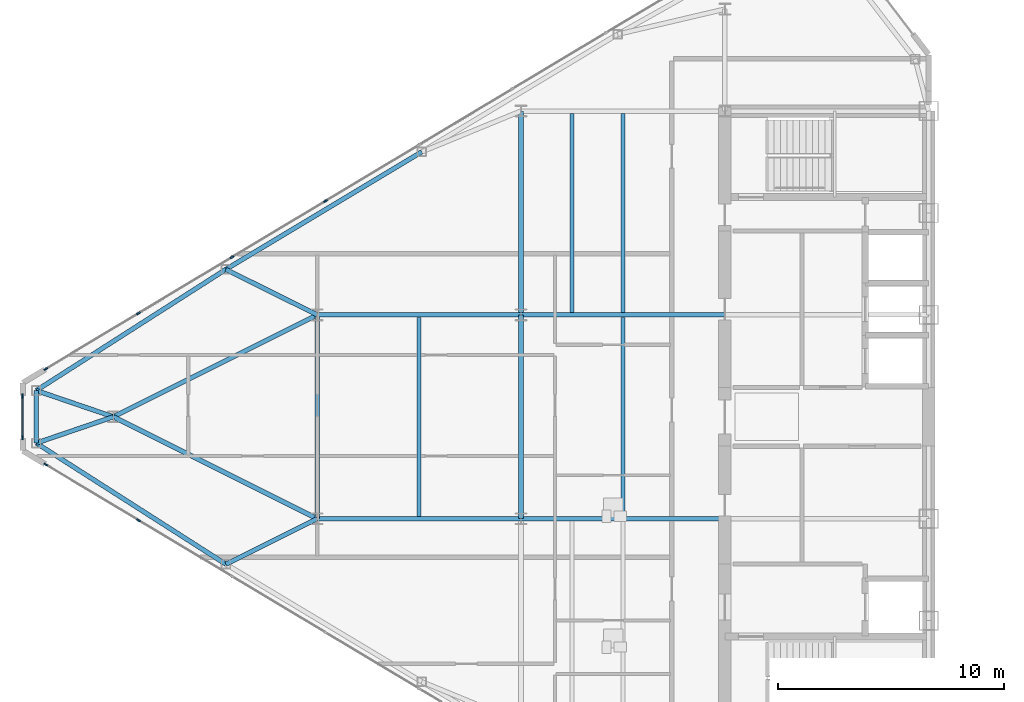
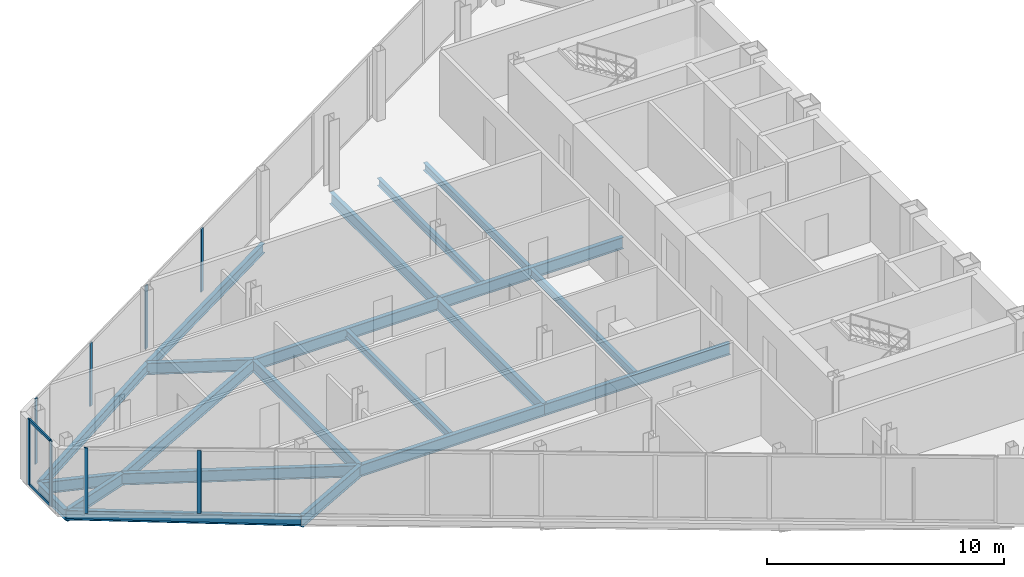
# One storey, part 7 of 26: 21 beams, 10 members, 3 elements without a shape of their own.
"""IFC4 building model written with IfcOpenShell, lengths in metres."""

from ifc_helpers import new_model, si_unit, direction, frame, origin, origin_2d, place, context, subcontext, project, spatial, rectangle, i_section, extrude, source, transform, mapped, material, layer, layer_set, material_profile, profile_set, type_object, type_shapes, element, aggregate, save


model = new_model("IFC4")

# Units and contexts
model_context = context("Model", 3, precision=1e-05, world=origin(), true_north=direction((0.0, 1.0)))
body_context = subcontext(model_context, "Body", "Model", "MODEL_VIEW")
ifc_project = project(units=[si_unit("LENGTHUNIT", "METRE"), si_unit("AREAUNIT", "SQUARE_METRE"), si_unit("VOLUMEUNIT", "CUBIC_METRE"), si_unit("PLANEANGLEUNIT", "RADIAN"), si_unit("MASSUNIT", "GRAM", prefix="KILO")], contexts=[model_context])

# Site, building, storey
site_placement = place(None, origin())
site = spatial("IfcSite", under=ifc_project, at=site_placement, CompositionType="ELEMENT")
building_placement = place(site_placement, origin())
building = spatial("IfcBuilding", under=site, at=building_placement, Name="Seokmaru Belvedere", CompositionType="ELEMENT")
storey_placement = place(building_placement, frame((0.0, 0.0, 199.5)))
storey = spatial("IfcBuildingStorey", under=building, at=storey_placement, Name="L53", CompositionType="ELEMENT", Elevation=199.5)

# Beams
ifc_material_1 = material(Name="Steel SM355 (355 MPa)", Category="steel")
ifc_material_profile_1 = material_profile(ifc_material_1, i_section(OverallWidth=0.199951171875, OverallDepth=0.60009765625, WebThickness=0.010986328125, FlangeThickness=0.01708984375, at=origin_2d()), Name="H-600x200x11x17")
ifc_profile_set_1 = profile_set([ifc_material_profile_1], Name="Steel SM355 (355 MPa)")
beam_type_1 = type_object("IfcBeamType", Name="Primary Floor Girder H-600", PredefinedType="BEAM", material=ifc_profile_set_1)
shared_shape_1 = source(origin(), body_context, "Body", "SweptSolid", [
    extrude(i_section(OverallWidth=0.199951171875, OverallDepth=0.60009765625, WebThickness=0.010986328125, FlangeThickness=0.01708984375, at=origin_2d()), origin(), (0.0, 0.0, 1.0), 9.0),
])
for number, where, z_axis, x_axis, name in (
    (1, (-45.5, -4.5, -0.52001953125), (0.0, 1.0, 0.0), (-1.0, 0.0, 0.0), "L53 W Interior Grid Girder 2"),
    (2, (-45.5, 4.5, -0.52001953125), (0.0, 1.0, 0.0), (-1.0, 0.0, 0.0), "L53 W Interior Grid Girder 3"),
    (3, (-45.5, -4.5, -0.52001953125), (1.0, 0.0, 0.0), (0.0, 1.0, 0.0), "L53 W Wing Primary Girder 2"),
    (4, (-45.5, 4.5, -0.52001953125), (1.0, 0.0, 0.0), (0.0, 1.0, 0.0), "L53 W Wing Primary Girder 3"),
    (5, (-54.5, -4.5, -0.52001953125), (1.0, 0.0, 0.0), (0.0, 1.0, 0.0), "L53 W Outer Wing Girder 1"),
    (6, (-54.5, 4.5, -0.52001953125), (1.0, 0.0, 0.0), (0.0, 1.0, 0.0), "L53 W Outer Wing Girder 2"),
    (7, (-54.5, -4.5, -0.52001953125), (0.0, 1.0, 0.0), (-1.0, 0.0, 0.0), "L53 W Apex Frame Girder"),
):
    element("IfcBeam", number, at=place(storey_placement, frame(where, z_axis=z_axis, x_axis=x_axis)), inside=storey, type_object=beam_type_1, Name=name, PredefinedType="BEAM", context=body_context, shape_type="MappedRepresentation", body=[
        mapped(shared_shape_1, transform((0.0, 0.0, 0.0), scale=1.0)),
    ])
shared_shape_2 = source(origin(), body_context, "Body", "SweptSolid", [
    extrude(i_section(OverallWidth=0.199951171875, OverallDepth=0.60009765625, WebThickness=0.010986328125, FlangeThickness=0.01708984375, at=origin_2d()), origin(), (0.0, 0.0, 1.0), 10.062255859375),
])
for number, where, z_axis, x_axis, name in (
    (8, (-54.5, -4.5, -0.52001953125), (-0.894427191, 0.4472135955, 0.0), (-0.4472135955, -0.894427191, 0.0), "L53 W Apex Converging Girder 1"),
    (9, (-54.5, 4.5, -0.52001953125), (-0.894427191, -0.4472135955, 0.0), (0.4472135955, -0.894427191, 0.0), "L53 W Apex Converging Girder 2"),
):
    element("IfcBeam", number, at=place(storey_placement, frame(where, z_axis=z_axis, x_axis=x_axis)), inside=storey, type_object=beam_type_1, Name=name, PredefinedType="BEAM", context=body_context, shape_type="MappedRepresentation", body=[
        mapped(shared_shape_2, transform((0.0, 0.0, 0.0), scale=1.0)),
    ])
ifc_material_profile_2 = material_profile(ifc_material_1, i_section(OverallWidth=0.18505859375, OverallDepth=0.389892578125, WebThickness=0.008056640625, FlangeThickness=0.011962890625, at=origin_2d()), Name="H-390x185x8x12")
ifc_profile_set_2 = profile_set([ifc_material_profile_2], Name="Steel SM355 (355 MPa)")
beam_type_2 = type_object("IfcBeamType", Name="Secondary Floor Joist H-350", PredefinedType="JOIST", material=ifc_profile_set_2)
shared_shape_3 = source(origin(), body_context, "Body", "SweptSolid", [
    extrude(i_section(OverallWidth=0.18505859375, OverallDepth=0.389892578125, WebThickness=0.008056640625, FlangeThickness=0.011962890625, at=origin_2d()), origin(), (0.0, 0.0, 1.0), 8.7900390625),
])
type_shapes(beam_type_2, [shared_shape_3])
for number, where, z_axis, x_axis, name in (
    (10, (-43.25, 4.60498046875, -0.4150390625), (0.0, 1.0, 0.0), (-1.0, 0.0, 0.0), "L53 W Wing Inner Secondary Joist 2"),
    (11, (-41.0, -4.39501953125, -0.4150390625), (0.0, 1.0, 0.0), (-1.0, 0.0, 0.0), "L53 W Secondary Floor Joist 2"),
    (12, (-41.0, 4.60498046875, -0.4150390625), (0.0, 1.0, 0.0), (-1.0, 0.0, 0.0), "L53 W Secondary Floor Joist 3"),
    (13, (-50.0, -4.39501953125, -0.4150390625), (0.0, 1.0, 0.0), (-1.0, 0.0, 0.0), "L53 W Outer Bay Secondary Joist"),
):
    element("IfcBeam", number, at=place(storey_placement, frame(where, z_axis=z_axis, x_axis=x_axis)), inside=storey, type_object=beam_type_2, Name=name, PredefinedType="JOIST", context=body_context, shape_type="MappedRepresentation", body=[
        mapped(shared_shape_3, transform((0.0, 0.0, 0.0), scale=1.0)),
    ])
ifc_material_profile_3 = material_profile(ifc_material_1, i_section(OverallWidth=0.199951171875, OverallDepth=0.5, WebThickness=0.010009765625, FlangeThickness=0.01611328125, at=origin_2d()), Name="H-500x200x10x16")
ifc_profile_set_3 = profile_set([ifc_material_profile_3], Name="Steel SM355 (355 MPa)")
beam_type_3 = type_object("IfcBeamType", Name="Perimeter Spandrel Beam H-500", PredefinedType="SPANDREL", material=ifc_profile_set_3)
shared_shape_4 = source(origin(), body_context, "Body", "SweptSolid", [
    extrude(i_section(OverallWidth=0.199951171875, OverallDepth=0.5, WebThickness=0.010009765625, FlangeThickness=0.01611328125, at=origin_2d()), origin(), (0.0, 0.0, 1.0), 10.087646484375),
])
beam_1_placement = place(storey_placement, frame((-49.8798828125, 11.698974609375, -0.469970703125), z_axis=(-0.857488654804, -0.514502873542, 0.0), x_axis=(0.514502873542, -0.857488654804, 0.0)))
element("IfcBeam", 14, at=beam_1_placement, inside=storey, type_object=beam_type_3, Name="L53 W Faceted Flank Spandrel N-3", PredefinedType="SPANDREL", context=body_context, shape_type="MappedRepresentation", body=[
    mapped(shared_shape_4, transform((0.0, 0.0, 0.0), scale=1.0)),
])
shared_shape_5 = source(origin(), body_context, "Body", "SweptSolid", [
    extrude(i_section(OverallWidth=0.199951171875, OverallDepth=0.5, WebThickness=0.010009765625, FlangeThickness=0.01611328125, at=origin_2d()), origin(), (0.0, 0.0, 1.0), 9.932861328125),
])
for number, where, z_axis, x_axis, name in (
    (15, (-58.530029296875, -6.5087890625, -0.469970703125), (-0.842651960357, 0.538458609093, 0.0), (-0.538458609093, -0.842651960357, 0.0), "L53 W Faceted Flank Spandrel S-4"),
    (16, (-58.530029296875, 6.5087890625, -0.469970703125), (-0.842651960357, -0.538458609093, 0.0), (0.538458609093, -0.842651960357, 0.0), "L53 W Faceted Flank Spandrel N-4"),
):
    element("IfcBeam", number, at=place(storey_placement, frame(where, z_axis=z_axis, x_axis=x_axis)), inside=storey, type_object=beam_type_3, Name=name, PredefinedType="SPANDREL", context=body_context, shape_type="MappedRepresentation", body=[
        mapped(shared_shape_5, transform((0.0, 0.0, 0.0), scale=1.0)),
    ])
shared_shape_6 = source(origin(), body_context, "Body", "SweptSolid", [
    extrude(i_section(OverallWidth=0.199951171875, OverallDepth=0.5, WebThickness=0.010009765625, FlangeThickness=0.01611328125, at=origin_2d()), origin(), (0.0, 0.0, 1.0), 2.32080078125),
])
type_shapes(beam_type_3, [shared_shape_4, shared_shape_5, shared_shape_6])
beam_2_placement = place(storey_placement, frame((-66.89990234375, -1.160400390625, -0.469970703125), z_axis=(0.0, 1.0, 0.0), x_axis=(-1.0, 0.0, 0.0)))
element("IfcBeam", 17, at=beam_2_placement, inside=storey, type_object=beam_type_3, Name="L53 W Faceted Apex Spandrel", PredefinedType="SPANDREL", context=body_context, shape_type="MappedRepresentation", body=[
    mapped(shared_shape_6, transform((0.0, 0.0, 0.0), scale=1.0)),
])
shared_shape_7 = source(origin(), body_context, "Body", "SweptSolid", [
    extrude(i_section(OverallWidth=0.199951171875, OverallDepth=0.60009765625, WebThickness=0.010986328125, FlangeThickness=0.01708984375, at=origin_2d()), origin(), (0.0, 0.0, 1.0), 4.5029296875),
])
for number, where, z_axis, x_axis, name in (
    (18, (-58.530029296875, -6.5087890625, -0.52001953125), (0.894979532585, 0.446107202648, 0.0), (-0.446107202648, 0.894979532585, 0.0), "L53 W Flank Radial Floor Girder S-3"),
    (19, (-58.530029296875, 6.5087890625, -0.52001953125), (0.894979532585, -0.446107202648, 0.0), (0.446107202648, 0.894979532585, 0.0), "L53 W Flank Radial Floor Girder N-3"),
):
    element("IfcBeam", number, at=place(storey_placement, frame(where, z_axis=z_axis, x_axis=x_axis)), inside=storey, type_object=beam_type_1, Name=name, PredefinedType="BEAM", context=body_context, shape_type="MappedRepresentation", body=[
        mapped(shared_shape_7, transform((0.0, 0.0, 0.0), scale=1.0)),
    ])
shared_shape_8 = source(origin(), body_context, "Body", "SweptSolid", [
    extrude(i_section(OverallWidth=0.199951171875, OverallDepth=0.60009765625, WebThickness=0.010986328125, FlangeThickness=0.01708984375, at=origin_2d()), origin(), (0.0, 0.0, 1.0), 3.592529296875),
])
type_shapes(beam_type_1, [shared_shape_1, shared_shape_2, shared_shape_7, shared_shape_8])
for number, where, z_axis, x_axis, name in (
    (20, (-66.89990234375, -1.160400390625, -0.52001953125), (0.946395973048, 0.323008764893, 0.0), (-0.323008764893, 0.946395973048, 0.0), "L53 W Apex Radial Floor Girder 1"),
    (21, (-66.89990234375, 1.160400390625, -0.52001953125), (0.946395973048, -0.323008764893, 0.0), (0.323008764893, 0.946395973048, 0.0), "L53 W Apex Radial Floor Girder 2"),
):
    element("IfcBeam", number, at=place(storey_placement, frame(where, z_axis=z_axis, x_axis=x_axis)), inside=storey, type_object=beam_type_1, Name=name, PredefinedType="BEAM", context=body_context, shape_type="MappedRepresentation", body=[
        mapped(shared_shape_8, transform((0.0, 0.0, 0.0), scale=1.0)),
    ])

# Curtain wall, member
ifc_material_2 = material(Name="Bronze Triple Insulating Glass", Category="glass")
ifc_layer = layer(ifc_material_2, 0.179931640625)
ifc_layer_set = layer_set([ifc_layer], Name="Bronze Triple Insulating Glass")
curtain_wall_type = type_object("IfcCurtainWallType", Name="High-Rise Wind-Corner Curtain Wall System CW-5", PredefinedType="NOTDEFINED", material=ifc_layer_set)
curtain_wall_1_placement = place(storey_placement, origin())
curtain_wall_1 = element("IfcCurtainWall", 22, at=curtain_wall_1_placement, inside=storey, type_object=curtain_wall_type, Name="L53 Curtain Wall WF3", PredefinedType="NOTDEFINED")
ifc_material_3 = material(Name="Anodised Bronze Aluminium", Category="aluminium")
ifc_material_profile_4 = material_profile(ifc_material_3, rectangle(XDim=0.06494140625, YDim=0.179931640625, at=origin_2d()), Name="CW-M-65x180")
ifc_profile_set_4 = profile_set([ifc_material_profile_4], Name="Anodised Bronze Aluminium")
member_type_1 = type_object("IfcMemberType", Name="Bronze Unitised Mullion 65x180", PredefinedType="MULLION", material=ifc_profile_set_4)
shared_shape_9 = source(origin(), body_context, "Body", "SweptSolid", [
    extrude(rectangle(XDim=0.06494140625, YDim=0.179931640625, at=origin_2d()), origin(), (0.0, 0.0, 1.0), 3.3798828125),
])
member_1_placement = place(storey_placement, frame((-66.486083984375, 2.1083984375, 0.0), z_axis=(0.0, 0.0, 1.0), x_axis=(0.514494909364, -0.85749343335, 0.0)))
member_1 = element("IfcMember", 23, at=member_1_placement, type_object=member_type_1, Name="CW:L53:WF3 Mullion 9", PredefinedType="MULLION", context=body_context, shape_type="MappedRepresentation", body=[
    mapped(shared_shape_9, transform((0.0, 0.0, 0.0), scale=1.0)),
])

# Curtain wall, members
curtain_wall_2_placement = place(storey_placement, origin())
curtain_wall_2 = element("IfcCurtainWall", 24, at=curtain_wall_2_placement, inside=storey, type_object=curtain_wall_type, Name="L53 Curtain Wall WF4", PredefinedType="NOTDEFINED")
member_2_placement = place(storey_placement, frame((-67.5, 0.91748046875, 0.0), z_axis=(0.0, 0.0, 1.0), x_axis=(1.0, 0.0, 0.0)))
member_2 = element("IfcMember", 25, at=member_2_placement, type_object=member_type_1, Name="CW:L53:WF4 Mullion 1", PredefinedType="MULLION", context=body_context, shape_type="MappedRepresentation", body=[
    mapped(shared_shape_9, transform((0.0, 0.0, 0.0), scale=1.0)),
])
member_3_placement = place(storey_placement, frame((-67.5, -0.91748046875, 0.0), z_axis=(0.0, 0.0, 1.0), x_axis=(1.0, 0.0, 0.0)))
member_3 = element("IfcMember", 26, at=member_3_placement, type_object=member_type_1, Name="CW:L53:WF4 Mullion 2", PredefinedType="MULLION", context=body_context, shape_type="MappedRepresentation", body=[
    mapped(shared_shape_9, transform((0.0, 0.0, 0.0), scale=1.0)),
])

# Curtain wall, member
curtain_wall_3_placement = place(storey_placement, origin())
curtain_wall_3 = element("IfcCurtainWall", 27, at=curtain_wall_3_placement, inside=storey, type_object=curtain_wall_type, Name="L53 Curtain Wall WF5", PredefinedType="NOTDEFINED")
member_4_placement = place(storey_placement, frame((-66.486083984375, -2.1083984375, 0.0), z_axis=(0.0, 0.0, 1.0), x_axis=(0.514494909364, 0.85749343335, 0.0)))
member_4 = element("IfcMember", 28, at=member_4_placement, type_object=member_type_1, Name="CW:L53:WF5 Mullion 1", PredefinedType="MULLION", context=body_context, shape_type="MappedRepresentation", body=[
    mapped(shared_shape_9, transform((0.0, 0.0, 0.0), scale=1.0)),
])

# Member
shared_shape_10 = source(origin(), body_context, "Body", "SweptSolid", [
    extrude(rectangle(XDim=0.06494140625, YDim=0.179931640625, at=origin_2d()), origin(), (0.0, 0.0, 1.0), 3.25),
])
type_shapes(member_type_1, [shared_shape_9, shared_shape_10])
member_5_placement = place(storey_placement, frame((-54.12841796875, 9.52294921875, 0.06494140625), z_axis=(0.0, 0.0, 1.0), x_axis=(0.514494909364, -0.85749343335, 0.0)))
member_5 = element("IfcMember", 29, at=member_5_placement, type_object=member_type_1, Name="CW:L53:WF3 Mullion 6", PredefinedType="MULLION", context=body_context, shape_type="MappedRepresentation", body=[
    mapped(shared_shape_10, transform((0.0, 0.0, 0.0), scale=1.0)),
])

member_6_placement = place(storey_placement, frame((-58.257080078125, 7.0458984375, 0.06494140625), z_axis=(0.0, 0.0, 1.0), x_axis=(0.514494909364, -0.85749343335, 0.0)))
member_6 = element("IfcMember", 30, at=member_6_placement, type_object=member_type_1, Name="CW:L53:WF3 Mullion 7", PredefinedType="MULLION", context=body_context, shape_type="MappedRepresentation", body=[
    mapped(shared_shape_10, transform((0.0, 0.0, 0.0), scale=1.0)),
])

member_7_placement = place(storey_placement, frame((-62.385498046875, 4.56884765625, 0.06494140625), z_axis=(0.0, 0.0, 1.0), x_axis=(0.514494909364, -0.85749343335, 0.0)))
member_7 = element("IfcMember", 31, at=member_7_placement, type_object=member_type_1, Name="CW:L53:WF3 Mullion 8", PredefinedType="MULLION", context=body_context, shape_type="MappedRepresentation", body=[
    mapped(shared_shape_10, transform((0.0, 0.0, 0.0), scale=1.0)),
])

aggregate(curtain_wall_1, [member_5, member_6, member_7, member_1])

member_8_placement = place(storey_placement, frame((-62.385498046875, -4.56884765625, 0.06494140625), z_axis=(0.0, 0.0, 1.0), x_axis=(0.514494909364, 0.85749343335, 0.0)))
member_8 = element("IfcMember", 32, at=member_8_placement, type_object=member_type_1, Name="CW:L53:WF5 Mullion 2", PredefinedType="MULLION", context=body_context, shape_type="MappedRepresentation", body=[
    mapped(shared_shape_10, transform((0.0, 0.0, 0.0), scale=1.0)),
])

aggregate(curtain_wall_3, [member_4, member_8])

ifc_material_profile_5 = material_profile(ifc_material_3, rectangle(XDim=0.06494140625, YDim=0.14990234375, at=origin_2d()), Name="CW-T-65x150")
ifc_profile_set_5 = profile_set([ifc_material_profile_5], Name="Anodised Bronze Aluminium")
member_type_2 = type_object("IfcMemberType", Name="Bronze Unitised Transom 65x150", PredefinedType="USERDEFINED", material=ifc_profile_set_5)
shared_shape_11 = source(origin(), body_context, "Body", "SweptSolid", [
    extrude(rectangle(XDim=0.06494140625, YDim=0.14990234375, at=origin_2d()), origin(), (0.0, 0.0, 1.0), 1.77001953125),
])
type_shapes(member_type_2, [shared_shape_11])
member_9_placement = place(storey_placement, frame((-67.5, 0.885009765625, 0.032470703125), z_axis=(0.0, -1.0, 0.0), x_axis=(1.0, 0.0, 0.0)))
member_9 = element("IfcMember", 33, at=member_9_placement, type_object=member_type_2, Name="CW:L53:WF4 Continuous Transom 1", ObjectType="TRANSOM", PredefinedType="USERDEFINED", context=body_context, shape_type="MappedRepresentation", body=[
    mapped(shared_shape_11, transform((0.0, 0.0, 0.0), scale=1.0)),
])

member_10_placement = place(storey_placement, frame((-67.5, 0.885009765625, 3.347412109375), z_axis=(0.0, -1.0, 0.0), x_axis=(1.0, 0.0, 0.0)))
member_10 = element("IfcMember", 34, at=member_10_placement, type_object=member_type_2, Name="CW:L53:WF4 Continuous Transom 2", ObjectType="TRANSOM", PredefinedType="USERDEFINED", context=body_context, shape_type="MappedRepresentation", body=[
    mapped(shared_shape_11, transform((0.0, 0.0, 0.0), scale=1.0)),
])

aggregate(curtain_wall_2, [member_2, member_3, member_9, member_10])

save(model, "model.ifc")
